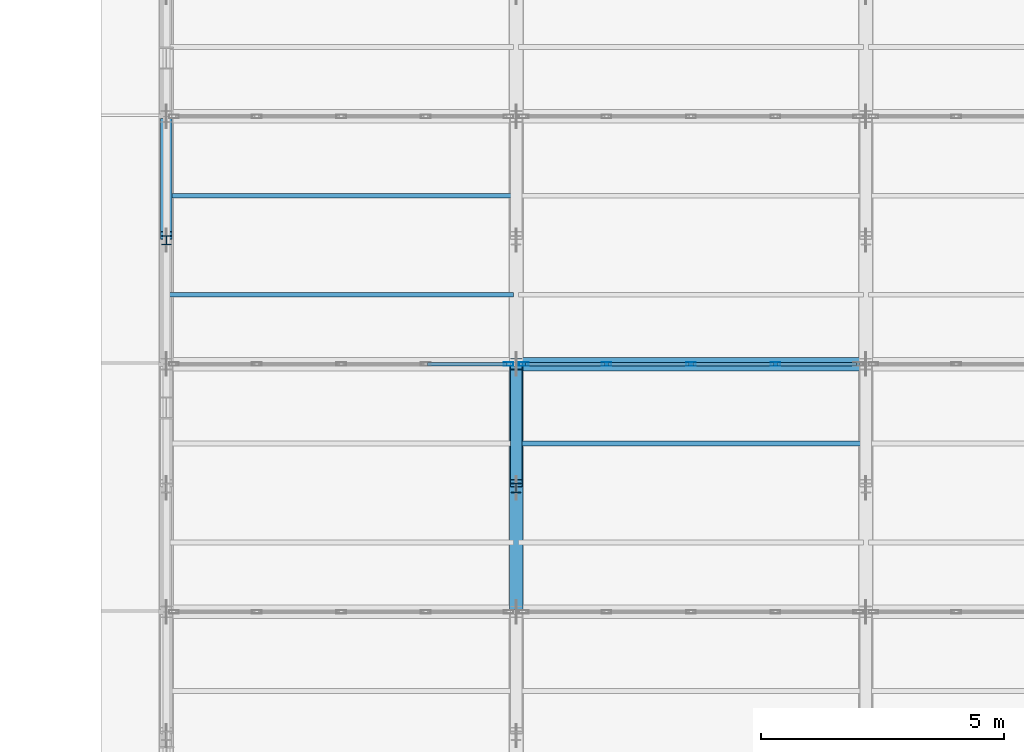
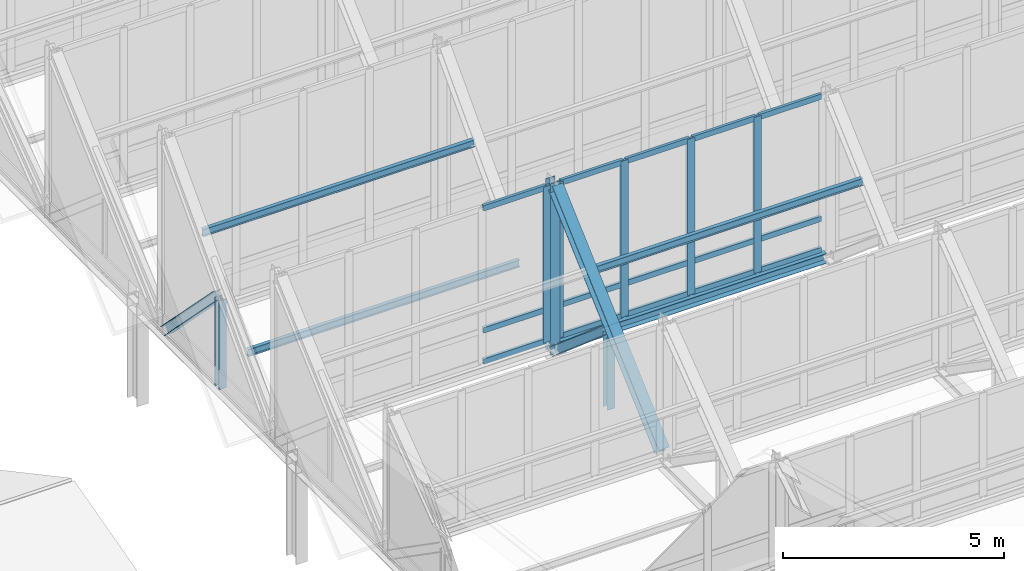
# One storey, part 42 of 157: 29 members, 1 beam, 2 elements without a shape of their own.
"""IFC4 building model written with IfcOpenShell, lengths in metres."""

from ifc_helpers import new_model, si_unit, direction, frame, origin, origin_2d, place, context, subcontext, project, spatial, hollow_rectangle, i_section, extrude, material, material_profile, profile_set, type_object, element, aggregate, save


model = new_model("IFC4")

# Units and contexts
model_context = context("Model", 3, precision=1e-05, world=origin(), true_north=direction((0.0, 1.0)))
body_context = subcontext(model_context, "Body", "Model", "MODEL_VIEW")
ifc_project = project(units=[si_unit("LENGTHUNIT", "METRE"), si_unit("AREAUNIT", "SQUARE_METRE"), si_unit("VOLUMEUNIT", "CUBIC_METRE"), si_unit("PLANEANGLEUNIT", "RADIAN"), si_unit("MASSUNIT", "GRAM", prefix="KILO")], contexts=[model_context])

# Site, building, storey
site_placement = place(None, origin())
site = spatial("IfcSite", under=ifc_project, at=site_placement, CompositionType="ELEMENT")
building_placement = place(site_placement, origin())
building = spatial("IfcBuilding", under=site, at=building_placement, Name="Suanplinth Sawtooth Commons", CompositionType="ELEMENT")
storey_placement = place(building_placement, frame((0.0, 0.0, 9.0)))
storey = spatial("IfcBuildingStorey", under=building, at=storey_placement, Name="L02", CompositionType="ELEMENT", Elevation=9.0)

# Beam
ifc_material_1 = material(Name="Steel S355JR", Category="steel")
ifc_material_profile_1 = material_profile(ifc_material_1, i_section(OverallWidth=0.280029296875, OverallDepth=0.27001953125, WebThickness=0.008056640625, FlangeThickness=0.012939453125, at=origin_2d()), Name="HEA 280")
ifc_profile_set_1 = profile_set([ifc_material_profile_1], Name="Steel S355JR")
beam_type = type_object("IfcBeamType", Name="B-16", PredefinedType="USERDEFINED", material=ifc_profile_set_1)
beam_placement = place(storey_placement, frame((72.1201171875, 65.699951171875, 2.820068359375), z_axis=(1.0, 0.0, 0.0), x_axis=(0.0, 1.0, 0.0)))
element("IfcBeam", 1, at=beam_placement, inside=storey, type_object=beam_type, Name="Sawtooth Valley Girder T4-B2", ObjectType="GIRDER", PredefinedType="USERDEFINED", context=body_context, shape_type="SweptSolid", body=[
    extrude(i_section(OverallWidth=0.280029296875, OverallDepth=0.27001953125, WebThickness=0.008056640625, FlangeThickness=0.012939453125, at=origin_2d()), origin(), (0.0, 0.0, 1.0), 6.9599609375),
])

# Members
ifc_material_profile_2 = material_profile(ifc_material_1, i_section(OverallWidth=0.280029296875, OverallDepth=0.280029296875, WebThickness=0.010498046875, FlangeThickness=0.01806640625, at=origin_2d()), Name="HEB 280")
ifc_profile_set_2 = profile_set([ifc_material_profile_2], Name="Steel S355JR")
member_type_1 = type_object("IfcMemberType", Name="M-02", PredefinedType="CHORD", material=ifc_profile_set_2)
member_1_placement = place(storey_placement, frame((72.0, 60.739990234375, 2.919921875), z_axis=(0.0, 0.740839311711, 0.671682301556), x_axis=(-1.0, 0.0, 0.0)))
element("IfcMember", 2, at=member_1_placement, inside=storey, type_object=member_type_1, Name="Sawtooth Truss T2 Top Chord 3", PredefinedType="CHORD", context=body_context, shape_type="SweptSolid", body=[
    extrude(i_section(OverallWidth=0.280029296875, OverallDepth=0.280029296875, WebThickness=0.010498046875, FlangeThickness=0.01806640625, at=origin_2d()), origin(), (0.0, 0.0, 1.0), 6.50634765625),
])
ifc_material_profile_3 = material_profile(ifc_material_1, i_section(OverallWidth=0.239990234375, OverallDepth=0.22998046875, WebThickness=0.007568359375, FlangeThickness=0.011962890625, at=origin_2d()), Name="HEA 240")
ifc_profile_set_3 = profile_set([ifc_material_profile_3], Name="Steel S355JR")
member_type_2 = type_object("IfcMemberType", Name="M-03", PredefinedType="BRACE", material=ifc_profile_set_3)
member_2_placement = place(storey_placement, frame((64.800048828125, 68.35009765625, 5.1201171875), z_axis=(0.0, 0.701020432133, -0.713141187797), x_axis=(-1.0, 0.0, 0.0)))
element("IfcMember", 3, at=member_2_placement, inside=storey, type_object=member_type_2, Name="Sawtooth Truss T1 Web Diagonal 4", PredefinedType="BRACE", context=body_context, shape_type="SweptSolid", body=[
    extrude(i_section(OverallWidth=0.239990234375, OverallDepth=0.22998046875, WebThickness=0.007568359375, FlangeThickness=0.011962890625, at=origin_2d()), origin(), (0.0, 0.0, 1.0), 3.323486328125),
])
member_3_placement = place(storey_placement, frame((72.0, 63.25, 4.7451171875), z_axis=(0.0, 0.759593581641, -0.65039802485), x_axis=(-1.0, 0.0, 0.0)))
element("IfcMember", 4, at=member_3_placement, inside=storey, type_object=member_type_2, Name="Sawtooth Truss T2 Web Diagonal 3", PredefinedType="BRACE", context=body_context, shape_type="SweptSolid", body=[
    extrude(i_section(OverallWidth=0.239990234375, OverallDepth=0.22998046875, WebThickness=0.007568359375, FlangeThickness=0.011962890625, at=origin_2d()), origin(), (0.0, 0.0, 1.0), 3.067626953125),
])
ifc_material_profile_4 = material_profile(ifc_material_1, i_section(OverallWidth=0.199951171875, OverallDepth=0.18994140625, WebThickness=0.006591796875, FlangeThickness=0.010009765625, at=origin_2d()), Name="HEA 200")
ifc_profile_set_4 = profile_set([ifc_material_profile_4], Name="Steel S355JR")
member_type_3 = type_object("IfcMemberType", Name="M-04", PredefinedType="BRACE", material=ifc_profile_set_4)
member_4_placement = place(storey_placement, frame((64.800048828125, 68.25, 2.64990234375), z_axis=(0.0, 0.0, 1.0), x_axis=(1.0, 0.0, 0.0)))
element("IfcMember", 5, at=member_4_placement, inside=storey, type_object=member_type_3, Name="Sawtooth Truss T1 Mid Web Post 4", PredefinedType="BRACE", context=body_context, shape_type="SweptSolid", body=[
    extrude(i_section(OverallWidth=0.199951171875, OverallDepth=0.18994140625, WebThickness=0.006591796875, FlangeThickness=0.010009765625, at=origin_2d()), origin(), (0.0, 0.0, 1.0), 2.4501953125),
])
member_5_placement = place(storey_placement, frame((72.0, 63.14990234375, 2.64990234375), z_axis=(0.0, 0.0, 1.0), x_axis=(1.0, 0.0, 0.0)))
element("IfcMember", 6, at=member_5_placement, inside=storey, type_object=member_type_3, Name="Sawtooth Truss T2 Mid Web Post 3", PredefinedType="BRACE", context=body_context, shape_type="SweptSolid", body=[
    extrude(i_section(OverallWidth=0.199951171875, OverallDepth=0.18994140625, WebThickness=0.006591796875, FlangeThickness=0.010009765625, at=origin_2d()), origin(), (0.0, 0.0, 1.0), 2.0751953125),
])
ifc_material_profile_5 = material_profile(ifc_material_1, i_section(OverallWidth=0.239990234375, OverallDepth=0.239990234375, WebThickness=0.010009765625, FlangeThickness=0.01708984375, at=origin_2d()), Name="HEB 240")
ifc_profile_set_5 = profile_set([ifc_material_profile_5], Name="Steel S355JR")
member_type_4 = type_object("IfcMemberType", Name="M-05", PredefinedType="POST", material=ifc_profile_set_5)
member_6_placement = place(storey_placement, frame((72.0, 65.699951171875, 2.64990234375), z_axis=(0.0, 0.0, 1.0), x_axis=(1.0, 0.0, 0.0)))
element("IfcMember", 7, at=member_6_placement, inside=storey, type_object=member_type_4, Name="Sawtooth Truss T2 Clerestory Post 3", PredefinedType="POST", context=body_context, shape_type="SweptSolid", body=[
    extrude(i_section(OverallWidth=0.239990234375, OverallDepth=0.239990234375, WebThickness=0.010009765625, FlangeThickness=0.01708984375, at=origin_2d()), origin(), (0.0, 0.0, 1.0), 4.739990234375),
])
ifc_material_2 = material(Name="Steel SS400", Category="steel")
ifc_material_profile_6 = material_profile(ifc_material_2, i_section(OverallWidth=0.10009765625, OverallDepth=0.199951171875, WebThickness=0.005615234375, FlangeThickness=0.008544921875, at=origin_2d()), Name="IPE 200")
ifc_profile_set_6 = profile_set([ifc_material_profile_6], Name="Steel SS400")
member_type_5 = type_object("IfcMemberType", Name="M-06", PredefinedType="PURLIN", material=ifc_profile_set_6)
for number, where, z_axis, x_axis, name in (
    (8, (72.050048828125, 64.068115234375, 5.84716796875), (1.0, 0.0, 0.0), (0.0, 1.0, 0.0), "Sawtooth Roof Purlin T3-B2-P2"),
    (9, (64.85009765625, 67.1279296875, 4.2587890625), (1.0, 0.0, 0.0), (0.0, 1.0, 0.0), "Sawtooth Roof Purlin T4-B1-P1"),
    (10, (64.85009765625, 69.16796875, 6.3388671875), (1.0, 0.0, 0.0), (0.0, 1.0, 0.0), "Sawtooth Roof Purlin T4-B1-P2"),
):
    element("IfcMember", number, at=place(storey_placement, frame(where, z_axis=z_axis, x_axis=x_axis)), inside=storey, type_object=member_type_5, Name=name, PredefinedType="PURLIN", context=body_context, shape_type="SweptSolid", body=[
        extrude(i_section(OverallWidth=0.10009765625, OverallDepth=0.199951171875, WebThickness=0.005615234375, FlangeThickness=0.008544921875, at=origin_2d()), origin(), (0.0, 0.0, 1.0), 7.099853515625),
    ])

# Curtain wall, member
ifc_material_3 = material(Name="Anodized aluminium and low-E glazing", Category="aluminium")
curtain_wall_type = type_object("IfcCurtainWallType", Name="CW-03", PredefinedType="USERDEFINED", material=ifc_material_3)
curtain_wall_1_placement = place(storey_placement, origin())
curtain_wall_1 = element("IfcCurtainWall", 11, at=curtain_wall_1_placement, inside=storey, type_object=curtain_wall_type, Name="Curtain Wall CW-SAW-T3-B1", ObjectType="CURTAIN WALL", PredefinedType="USERDEFINED")
ifc_material_4 = material(Name="Anodized aluminium 6063-T6", Category="aluminium")
ifc_material_profile_7 = material_profile(ifc_material_4, hollow_rectangle(XDim=0.074951171875, YDim=0.199951171875, WallThickness=0.0048828125, at=origin_2d()), Name="ALU-MUL 75x200")
ifc_profile_set_7 = profile_set([ifc_material_profile_7], Name="Anodized aluminium 6063-T6")
member_type_6 = type_object("IfcMemberType", Name="M-14", PredefinedType="MULLION", material=ifc_profile_set_7)
member_7_placement = place(storey_placement, frame((71.842529296875, 65.699951171875, 2.97998046875), z_axis=(0.0, 0.0, 1.0), x_axis=(0.0, 1.0, 0.0)))
member_7 = element("IfcMember", 12, at=member_7_placement, type_object=member_type_6, Name="CW-03 mullion 5", PredefinedType="MULLION", context=body_context, shape_type="SweptSolid", body=[
    extrude(hollow_rectangle(XDim=0.074951171875, YDim=0.199951171875, WallThickness=0.0048828125, at=origin_2d()), origin(), (0.0, 0.0, 1.0), 4.31005859375),
])

# Curtain wall, members
curtain_wall_2_placement = place(storey_placement, origin())
curtain_wall_2 = element("IfcCurtainWall", 13, at=curtain_wall_2_placement, inside=storey, type_object=curtain_wall_type, Name="Curtain Wall CW-SAW-T3-B2", ObjectType="CURTAIN WALL", PredefinedType="USERDEFINED")
member_8_placement = place(storey_placement, frame((72.157470703125, 65.699951171875, 2.97998046875), z_axis=(0.0, 0.0, 1.0), x_axis=(0.0, 1.0, 0.0)))
member_8 = element("IfcMember", 14, at=member_8_placement, type_object=member_type_6, Name="CW-03 mullion 1", PredefinedType="MULLION", context=body_context, shape_type="SweptSolid", body=[
    extrude(hollow_rectangle(XDim=0.074951171875, YDim=0.199951171875, WallThickness=0.0048828125, at=origin_2d()), origin(), (0.0, 0.0, 1.0), 4.31005859375),
])
member_9_placement = place(storey_placement, frame((73.860107421875, 65.699951171875, 2.97998046875), z_axis=(0.0, 0.0, 1.0), x_axis=(0.0, 1.0, 0.0)))
member_9 = element("IfcMember", 15, at=member_9_placement, type_object=member_type_6, Name="CW-03 mullion 2", PredefinedType="MULLION", context=body_context, shape_type="SweptSolid", body=[
    extrude(hollow_rectangle(XDim=0.074951171875, YDim=0.199951171875, WallThickness=0.0048828125, at=origin_2d()), origin(), (0.0, 0.0, 1.0), 4.31005859375),
])
member_10_placement = place(storey_placement, frame((75.60009765625, 65.699951171875, 2.97998046875), z_axis=(0.0, 0.0, 1.0), x_axis=(0.0, 1.0, 0.0)))
member_10 = element("IfcMember", 16, at=member_10_placement, type_object=member_type_6, Name="CW-03 mullion 3", PredefinedType="MULLION", context=body_context, shape_type="SweptSolid", body=[
    extrude(hollow_rectangle(XDim=0.074951171875, YDim=0.199951171875, WallThickness=0.0048828125, at=origin_2d()), origin(), (0.0, 0.0, 1.0), 4.31005859375),
])
member_11_placement = place(storey_placement, frame((77.340087890625, 65.699951171875, 2.97998046875), z_axis=(0.0, 0.0, 1.0), x_axis=(0.0, 1.0, 0.0)))
member_11 = element("IfcMember", 17, at=member_11_placement, type_object=member_type_6, Name="CW-03 mullion 4", PredefinedType="MULLION", context=body_context, shape_type="SweptSolid", body=[
    extrude(hollow_rectangle(XDim=0.074951171875, YDim=0.199951171875, WallThickness=0.0048828125, at=origin_2d()), origin(), (0.0, 0.0, 1.0), 4.31005859375),
])

# Member
ifc_material_profile_8 = material_profile(ifc_material_4, hollow_rectangle(XDim=0.074951171875, YDim=0.14990234375, WallThickness=0.00439453125, at=origin_2d()), Name="ALU-TRN 75x150")
ifc_profile_set_8 = profile_set([ifc_material_profile_8], Name="Anodized aluminium 6063-T6")
member_type_7 = type_object("IfcMemberType", Name="M-16", PredefinedType="USERDEFINED", material=ifc_profile_set_8)
member_12_placement = place(storey_placement, frame((70.177490234375, 65.699951171875, 3.017578125), z_axis=(1.0, 0.0, 0.0), x_axis=(0.0, 1.0, 0.0)))
member_12 = element("IfcMember", 18, at=member_12_placement, type_object=member_type_7, Name="CW-03 transom 4.1", ObjectType="TRANSOM", PredefinedType="USERDEFINED", context=body_context, shape_type="SweptSolid", body=[
    extrude(hollow_rectangle(XDim=0.074951171875, YDim=0.14990234375, WallThickness=0.00439453125, at=origin_2d()), origin(), (0.0, 0.0, 1.0), 1.62744140625),
])

member_13_placement = place(storey_placement, frame((70.177490234375, 65.699951171875, 3.8798828125), z_axis=(1.0, 0.0, 0.0), x_axis=(0.0, 1.0, 0.0)))
member_13 = element("IfcMember", 19, at=member_13_placement, type_object=member_type_7, Name="CW-03 transom 4.2", ObjectType="TRANSOM", PredefinedType="USERDEFINED", context=body_context, shape_type="SweptSolid", body=[
    extrude(hollow_rectangle(XDim=0.074951171875, YDim=0.14990234375, WallThickness=0.00439453125, at=origin_2d()), origin(), (0.0, 0.0, 1.0), 1.62744140625),
])

member_14_placement = place(storey_placement, frame((70.177490234375, 65.699951171875, 7.25244140625), z_axis=(1.0, 0.0, 0.0), x_axis=(0.0, 1.0, 0.0)))
member_14 = element("IfcMember", 20, at=member_14_placement, type_object=member_type_7, Name="CW-03 transom 4.3", ObjectType="TRANSOM", PredefinedType="USERDEFINED", context=body_context, shape_type="SweptSolid", body=[
    extrude(hollow_rectangle(XDim=0.074951171875, YDim=0.14990234375, WallThickness=0.00439453125, at=origin_2d()), origin(), (0.0, 0.0, 1.0), 1.62744140625),
])

aggregate(curtain_wall_1, [member_7, member_12, member_13, member_14])

member_15_placement = place(storey_placement, frame((72.195068359375, 65.699951171875, 3.017578125), z_axis=(1.0, 0.0, 0.0), x_axis=(0.0, 1.0, 0.0)))
member_15 = element("IfcMember", 21, at=member_15_placement, type_object=member_type_7, Name="CW-03 transom 1.1", ObjectType="TRANSOM", PredefinedType="USERDEFINED", context=body_context, shape_type="SweptSolid", body=[
    extrude(hollow_rectangle(XDim=0.074951171875, YDim=0.14990234375, WallThickness=0.00439453125, at=origin_2d()), origin(), (0.0, 0.0, 1.0), 1.62744140625),
])

member_16_placement = place(storey_placement, frame((72.195068359375, 65.699951171875, 3.8798828125), z_axis=(1.0, 0.0, 0.0), x_axis=(0.0, 1.0, 0.0)))
member_16 = element("IfcMember", 22, at=member_16_placement, type_object=member_type_7, Name="CW-03 transom 1.2", ObjectType="TRANSOM", PredefinedType="USERDEFINED", context=body_context, shape_type="SweptSolid", body=[
    extrude(hollow_rectangle(XDim=0.074951171875, YDim=0.14990234375, WallThickness=0.00439453125, at=origin_2d()), origin(), (0.0, 0.0, 1.0), 1.62744140625),
])

member_17_placement = place(storey_placement, frame((72.195068359375, 65.699951171875, 7.25244140625), z_axis=(1.0, 0.0, 0.0), x_axis=(0.0, 1.0, 0.0)))
member_17 = element("IfcMember", 23, at=member_17_placement, type_object=member_type_7, Name="CW-03 transom 1.3", ObjectType="TRANSOM", PredefinedType="USERDEFINED", context=body_context, shape_type="SweptSolid", body=[
    extrude(hollow_rectangle(XDim=0.074951171875, YDim=0.14990234375, WallThickness=0.00439453125, at=origin_2d()), origin(), (0.0, 0.0, 1.0), 1.62744140625),
])

member_18_placement = place(storey_placement, frame((73.8974609375, 65.699951171875, 3.017578125), z_axis=(1.0, 0.0, 0.0), x_axis=(0.0, 1.0, 0.0)))
member_18 = element("IfcMember", 24, at=member_18_placement, type_object=member_type_7, Name="CW-03 transom 2.1", ObjectType="TRANSOM", PredefinedType="USERDEFINED", context=body_context, shape_type="SweptSolid", body=[
    extrude(hollow_rectangle(XDim=0.074951171875, YDim=0.14990234375, WallThickness=0.00439453125, at=origin_2d()), origin(), (0.0, 0.0, 1.0), 1.6650390625),
])

member_19_placement = place(storey_placement, frame((73.8974609375, 65.699951171875, 3.8798828125), z_axis=(1.0, 0.0, 0.0), x_axis=(0.0, 1.0, 0.0)))
member_19 = element("IfcMember", 25, at=member_19_placement, type_object=member_type_7, Name="CW-03 transom 2.2", ObjectType="TRANSOM", PredefinedType="USERDEFINED", context=body_context, shape_type="SweptSolid", body=[
    extrude(hollow_rectangle(XDim=0.074951171875, YDim=0.14990234375, WallThickness=0.00439453125, at=origin_2d()), origin(), (0.0, 0.0, 1.0), 1.6650390625),
])

member_20_placement = place(storey_placement, frame((73.8974609375, 65.699951171875, 7.25244140625), z_axis=(1.0, 0.0, 0.0), x_axis=(0.0, 1.0, 0.0)))
member_20 = element("IfcMember", 26, at=member_20_placement, type_object=member_type_7, Name="CW-03 transom 2.3", ObjectType="TRANSOM", PredefinedType="USERDEFINED", context=body_context, shape_type="SweptSolid", body=[
    extrude(hollow_rectangle(XDim=0.074951171875, YDim=0.14990234375, WallThickness=0.00439453125, at=origin_2d()), origin(), (0.0, 0.0, 1.0), 1.6650390625),
])

member_21_placement = place(storey_placement, frame((75.637451171875, 65.699951171875, 3.017578125), z_axis=(1.0, 0.0, 0.0), x_axis=(0.0, 1.0, 0.0)))
member_21 = element("IfcMember", 27, at=member_21_placement, type_object=member_type_7, Name="CW-03 transom 3.1", ObjectType="TRANSOM", PredefinedType="USERDEFINED", context=body_context, shape_type="SweptSolid", body=[
    extrude(hollow_rectangle(XDim=0.074951171875, YDim=0.14990234375, WallThickness=0.00439453125, at=origin_2d()), origin(), (0.0, 0.0, 1.0), 1.6650390625),
])

member_22_placement = place(storey_placement, frame((75.637451171875, 65.699951171875, 3.8798828125), z_axis=(1.0, 0.0, 0.0), x_axis=(0.0, 1.0, 0.0)))
member_22 = element("IfcMember", 28, at=member_22_placement, type_object=member_type_7, Name="CW-03 transom 3.2", ObjectType="TRANSOM", PredefinedType="USERDEFINED", context=body_context, shape_type="SweptSolid", body=[
    extrude(hollow_rectangle(XDim=0.074951171875, YDim=0.14990234375, WallThickness=0.00439453125, at=origin_2d()), origin(), (0.0, 0.0, 1.0), 1.6650390625),
])

member_23_placement = place(storey_placement, frame((75.637451171875, 65.699951171875, 7.25244140625), z_axis=(1.0, 0.0, 0.0), x_axis=(0.0, 1.0, 0.0)))
member_23 = element("IfcMember", 29, at=member_23_placement, type_object=member_type_7, Name="CW-03 transom 3.3", ObjectType="TRANSOM", PredefinedType="USERDEFINED", context=body_context, shape_type="SweptSolid", body=[
    extrude(hollow_rectangle(XDim=0.074951171875, YDim=0.14990234375, WallThickness=0.00439453125, at=origin_2d()), origin(), (0.0, 0.0, 1.0), 1.6650390625),
])

member_24_placement = place(storey_placement, frame((77.37744140625, 65.699951171875, 3.017578125), z_axis=(1.0, 0.0, 0.0), x_axis=(0.0, 1.0, 0.0)))
member_24 = element("IfcMember", 30, at=member_24_placement, type_object=member_type_7, Name="CW-03 transom 4.1", ObjectType="TRANSOM", PredefinedType="USERDEFINED", context=body_context, shape_type="SweptSolid", body=[
    extrude(hollow_rectangle(XDim=0.074951171875, YDim=0.14990234375, WallThickness=0.00439453125, at=origin_2d()), origin(), (0.0, 0.0, 1.0), 1.62744140625),
])

member_25_placement = place(storey_placement, frame((77.37744140625, 65.699951171875, 3.8798828125), z_axis=(1.0, 0.0, 0.0), x_axis=(0.0, 1.0, 0.0)))
member_25 = element("IfcMember", 31, at=member_25_placement, type_object=member_type_7, Name="CW-03 transom 4.2", ObjectType="TRANSOM", PredefinedType="USERDEFINED", context=body_context, shape_type="SweptSolid", body=[
    extrude(hollow_rectangle(XDim=0.074951171875, YDim=0.14990234375, WallThickness=0.00439453125, at=origin_2d()), origin(), (0.0, 0.0, 1.0), 1.62744140625),
])

member_26_placement = place(storey_placement, frame((77.37744140625, 65.699951171875, 7.25244140625), z_axis=(1.0, 0.0, 0.0), x_axis=(0.0, 1.0, 0.0)))
member_26 = element("IfcMember", 32, at=member_26_placement, type_object=member_type_7, Name="CW-03 transom 4.3", ObjectType="TRANSOM", PredefinedType="USERDEFINED", context=body_context, shape_type="SweptSolid", body=[
    extrude(hollow_rectangle(XDim=0.074951171875, YDim=0.14990234375, WallThickness=0.00439453125, at=origin_2d()), origin(), (0.0, 0.0, 1.0), 1.62744140625),
])

aggregate(curtain_wall_2, [member_8, member_9, member_10, member_11, member_15, member_16, member_17, member_18, member_19, member_20, member_21, member_22, member_23, member_24, member_25, member_26])

save(model, "model.ifc")
